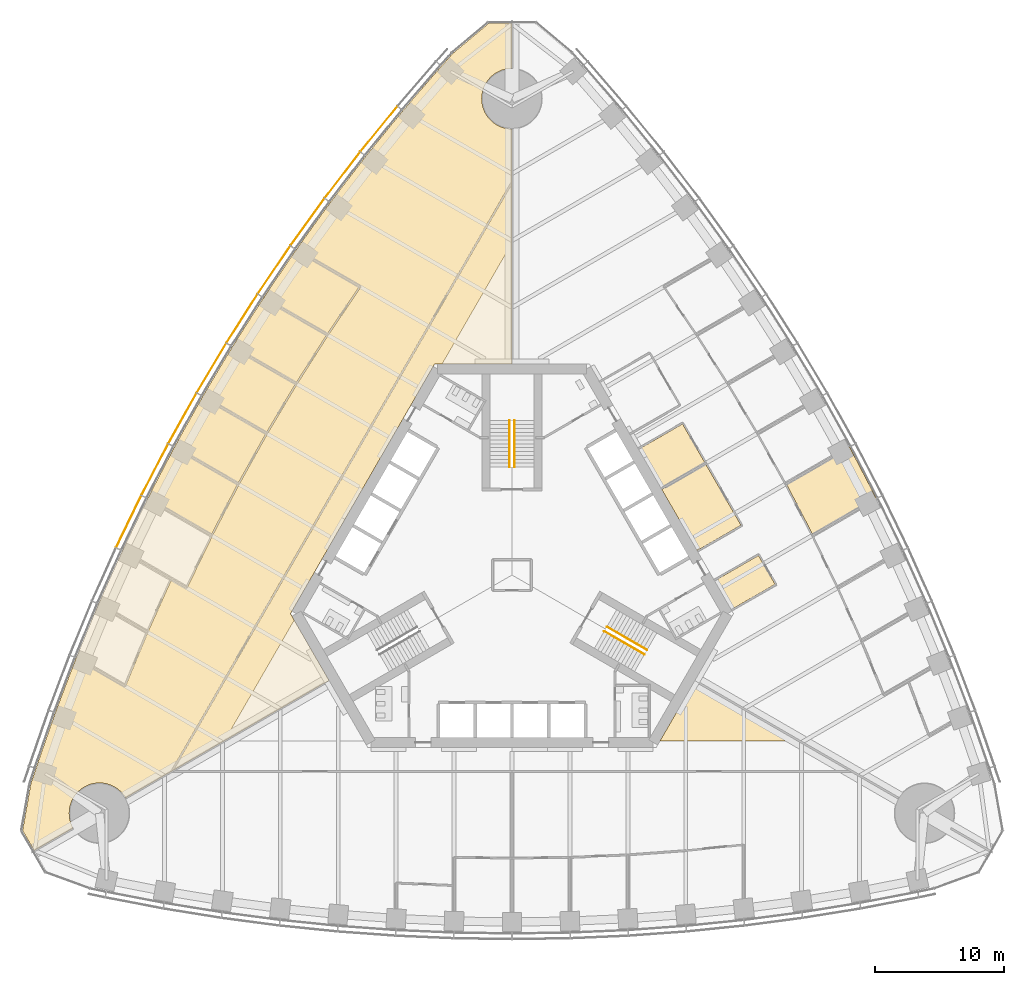
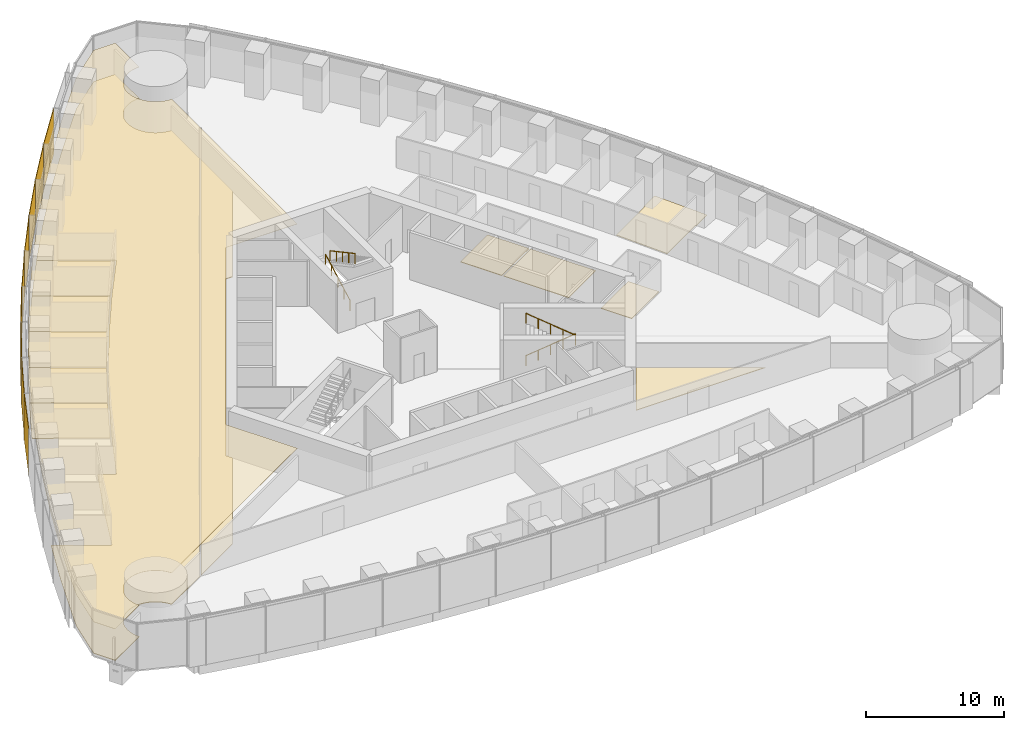
# One storey, part 15 of 18: 13 coverings, 9 shading devices, 4 railings.
"""IFC4 building model written with IfcOpenShell, lengths in metres."""

from ifc_helpers import new_model, si_unit, direction, frame, origin, origin_2d, place, context, subcontext, project, spatial, polyline, rectangle, circle, outline, extrude, material, layer, layer_set, type_object, element, save


model = new_model("IFC4")

# Units and contexts
model_context = context("Model", 3, precision=1e-05, world=origin(), true_north=direction((0.0, 1.0)))
body_context = subcontext(model_context, "Body", "Model", "MODEL_VIEW")
ifc_project = project(units=[si_unit("LENGTHUNIT", "METRE"), si_unit("AREAUNIT", "SQUARE_METRE"), si_unit("VOLUMEUNIT", "CUBIC_METRE"), si_unit("PLANEANGLEUNIT", "RADIAN"), si_unit("MASSUNIT", "GRAM", prefix="KILO")], contexts=[model_context])

# Site, building, storey
site_placement = place(None, origin())
site = spatial("IfcSite", under=ifc_project, at=site_placement, CompositionType="ELEMENT")
building_placement = place(site_placement, origin())
building = spatial("IfcBuilding", under=site, at=building_placement, Name="Trefoil Bronze Tower", CompositionType="ELEMENT")
storey_placement = place(building_placement, frame((0.0, 0.0, 58.5)))
storey = spatial("IfcBuildingStorey", under=building, at=storey_placement, Name="L13", CompositionType="ELEMENT", Elevation=58.5)

# Shading devices
ifc_material_1 = material(Name="Perforated bronze sheet", Category="bronze")
ifc_layer_1 = layer(ifc_material_1, 0.0400390625)
ifc_layer_set_1 = layer_set([ifc_layer_1], Name="Bronze solar screen panel")
shading_device_type = type_object("IfcShadingDeviceType", Name="Bronze solar screen panel", PredefinedType="SHUTTER", material=ifc_layer_set_1)
shading_device_1_placement = place(storey_placement, frame((-10.338623046875, 34.6474609375, 0.050048828125), z_axis=(0.0, 0.0, 1.0), x_axis=(-0.631810729457, -0.775122701346, 0.0)))
element("IfcShadingDevice", 1, at=shading_device_1_placement, inside=storey, type_object=shading_device_type, Name="Solar screen CW-A L13 F3 bay 3", PredefinedType="SHUTTER", context=body_context, shape_type="SweptSolid", body=[
    extrude(rectangle(XDim=4.5283203125, YDim=0.0400390625, at=origin_2d()), origin(), (0.0, 0.0, 1.0), 4.10009765625),
])
shading_device_2_placement = place(storey_placement, frame((-13.170166015625, 31.06787109375, 0.050048828125), z_axis=(0.0, 0.0, 1.0), x_axis=(-0.608807670879, -0.793317855515, 0.0)))
element("IfcShadingDevice", 2, at=shading_device_2_placement, inside=storey, type_object=shading_device_type, Name="Solar screen CW-A L13 F3 bay 4", PredefinedType="SHUTTER", context=body_context, shape_type="SweptSolid", body=[
    extrude(rectangle(XDim=4.5087890625, YDim=0.0400390625, at=origin_2d()), origin(), (0.0, 0.0, 1.0), 4.10009765625),
])
shading_device_3_placement = place(storey_placement, frame((-15.88525390625, 27.421142578125, 0.050048828125), z_axis=(0.0, 0.0, 1.0), x_axis=(-0.585372522213, -0.810764460394, 0.0)))
element("IfcShadingDevice", 3, at=shading_device_3_placement, inside=storey, type_object=shading_device_type, Name="Solar screen CW-A L13 F3 bay 5", PredefinedType="SHUTTER", context=body_context, shape_type="SweptSolid", body=[
    extrude(rectangle(XDim=4.493408203125, YDim=0.0400390625, at=origin_2d()), origin(), (0.0, 0.0, 1.0), 4.10009765625),
])
shading_device_4_placement = place(storey_placement, frame((-18.48486328125, 23.707763671875, 0.050048828125), z_axis=(0.0, 0.0, 1.0), x_axis=(-0.56150968077, -0.827470167681, 0.0)))
element("IfcShadingDevice", 4, at=shading_device_4_placement, inside=storey, type_object=shading_device_type, Name="Solar screen CW-A L13 F3 bay 6", PredefinedType="SHUTTER", context=body_context, shape_type="SweptSolid", body=[
    extrude(rectangle(XDim=4.48193359375, YDim=0.0400390625, at=origin_2d()), origin(), (0.0, 0.0, 1.0), 4.10009765625),
])
shading_device_5_placement = place(storey_placement, frame((-20.97021484375, 19.928466796875, 0.050048828125), z_axis=(0.0, 0.0, 1.0), x_axis=(-0.537222392469, -0.843440632783, 0.0)))
element("IfcShadingDevice", 5, at=shading_device_5_placement, inside=storey, type_object=shading_device_type, Name="Solar screen CW-A L13 F3 bay 7", PredefinedType="SHUTTER", context=body_context, shape_type="SweptSolid", body=[
    extrude(rectangle(XDim=4.474365234375, YDim=0.0400390625, at=origin_2d()), origin(), (0.0, 0.0, 1.0), 4.10009765625),
])
for number, where, z_axis, x_axis, name in (
    (6, (-23.341552734375, 16.083251953125, 0.050048828125), (0.0, 0.0, 1.0), (-0.51251279404, -0.858679588639, 0.0), "Solar screen CW-A L13 F3 bay 8"),
    (7, (-25.599365234375, 12.172607421875, 0.050048828125), (0.0, 0.0, 1.0), (-0.487381940453, -0.873188893722, 0.0), "Solar screen CW-A L13 F3 bay 9"),
):
    element("IfcShadingDevice", number, at=place(storey_placement, frame(where, z_axis=z_axis, x_axis=x_axis)), inside=storey, type_object=shading_device_type, Name=name, PredefinedType="SHUTTER", context=body_context, shape_type="SweptSolid", body=[
        extrude(rectangle(XDim=4.470458984375, YDim=0.0400390625, at=origin_2d()), origin(), (0.0, 0.0, 1.0), 4.10009765625),
    ])
shading_device_6_placement = place(storey_placement, frame((-27.74365234375, 8.1962890625, 0.050048828125), z_axis=(0.0, 0.0, 1.0), x_axis=(-0.46182981834, -0.886968555752, 0.0)))
element("IfcShadingDevice", 8, at=shading_device_6_placement, inside=storey, type_object=shading_device_type, Name="Solar screen CW-A L13 F3 bay 10", PredefinedType="SHUTTER", context=body_context, shape_type="SweptSolid", body=[
    extrude(rectangle(XDim=4.474365234375, YDim=0.0400390625, at=origin_2d()), origin(), (0.0, 0.0, 1.0), 4.10009765625),
])
shading_device_7_placement = place(storey_placement, frame((-29.77392578125, 4.154541015625, 0.050048828125), z_axis=(0.0, 0.0, 1.0), x_axis=(-0.4358553457, -0.900016731858, 0.0)))
element("IfcShadingDevice", 9, at=shading_device_7_placement, inside=storey, type_object=shading_device_type, Name="Solar screen CW-A L13 F3 bay 11", PredefinedType="SHUTTER", context=body_context, shape_type="SweptSolid", body=[
    extrude(rectangle(XDim=4.48193359375, YDim=0.0400390625, at=origin_2d()), origin(), (0.0, 0.0, 1.0), 4.10009765625),
])

# Railings
ifc_material_2 = material(Name="Steel handrail", Category="steel")
railing_type = type_object("IfcRailingType", Name="Handrail 900", PredefinedType="HANDRAIL", material=ifc_material_2)
railing_1_placement = place(storey_placement, frame((7.365966796875, -4.021728515625, 0.16162109375)))
element("IfcRailing", 10, at=railing_1_placement, inside=storey, type_object=railing_type, Name="Handrail ST1 flight 1 L13", PredefinedType="HANDRAIL", context=body_context, shape_type="SweptSolid", body=[
    extrude(circle(Radius=0.02392578125, at=origin_2d()), frame((0.0, 0.0, 0.8759765625), z_axis=(0.76250339821, -0.440245697338, 0.474101564745), x_axis=(0.500012057535, 0.866018442252, 0.0)), (0.0, 0.0, 1.0), 4.088623046875),
    extrude(circle(Radius=0.02099609375, at=origin_2d()), origin(), (0.0, 0.0, 1.0), 0.851806640625),
    extrude(circle(Radius=0.02099609375, at=origin_2d()), frame((0.779296875, -0.449951171875, 0.484619140625)), (0.0, 0.0, 1.0), 0.851806640625),
    extrude(circle(Radius=0.02099609375, at=origin_2d()), frame((1.558837890625, -0.89990234375, 0.96923828125)), (0.0, 0.0, 1.0), 0.851806640625),
    extrude(circle(Radius=0.02099609375, at=origin_2d()), frame((2.33837890625, -1.35009765625, 1.453857421875)), (0.0, 0.0, 1.0), 0.851806640625),
    extrude(circle(Radius=0.02099609375, at=origin_2d()), frame((3.11767578125, -1.800048828125, 1.9384765625)), (0.0, 0.0, 1.0), 0.851806640625),
])
railing_2_placement = place(storey_placement, frame((10.28369140625, -6.168212890625, 2.261474609375)))
element("IfcRailing", 11, at=railing_2_placement, inside=storey, type_object=railing_type, Name="Handrail ST1 flight 2 L13", PredefinedType="HANDRAIL", context=body_context, shape_type="SweptSolid", body=[
    extrude(circle(Radius=0.02392578125, at=origin_2d()), frame((0.0, 0.0, 0.8759765625), z_axis=(-0.76250339821, 0.440245697338, 0.474101564745), x_axis=(-0.500012057535, -0.866018442252, 0.0)), (0.0, 0.0, 1.0), 4.088623046875),
    extrude(circle(Radius=0.02099609375, at=origin_2d()), origin(), (0.0, 0.0, 1.0), 0.851806640625),
    extrude(circle(Radius=0.02099609375, at=origin_2d()), frame((-0.779296875, 0.449951171875, 0.484619140625)), (0.0, 0.0, 1.0), 0.851806640625),
    extrude(circle(Radius=0.02099609375, at=origin_2d()), frame((-1.558837890625, 0.89990234375, 0.96923828125)), (0.0, 0.0, 1.0), 0.851806640625),
    extrude(circle(Radius=0.02099609375, at=origin_2d()), frame((-2.33837890625, 1.35009765625, 1.453857421875)), (0.0, 0.0, 1.0), 0.851806640625),
    extrude(circle(Radius=0.02099609375, at=origin_2d()), frame((-3.11767578125, 1.800048828125, 1.9384765625)), (0.0, 0.0, 1.0), 0.851806640625),
])
railing_3_placement = place(storey_placement, frame((-0.199951171875, 8.389892578125, 0.16162109375)))
element("IfcRailing", 12, at=railing_3_placement, inside=storey, type_object=railing_type, Name="Handrail ST2 flight 1 L13", PredefinedType="HANDRAIL", context=body_context, shape_type="SweptSolid", body=[
    extrude(circle(Radius=0.02392578125, at=origin_2d()), frame((0.0, 0.0, 0.8759765625), z_axis=(0.0, 0.880474934443, 0.474092701714), x_axis=(-1.0, 0.0, 0.0)), (0.0, 0.0, 1.0), 4.0888671875),
    extrude(circle(Radius=0.02099609375, at=origin_2d()), origin(), (0.0, 0.0, 1.0), 0.851806640625),
    extrude(circle(Radius=0.02099609375, at=origin_2d()), frame((0.0, 0.89990234375, 0.484619140625)), (0.0, 0.0, 1.0), 0.851806640625),
    extrude(circle(Radius=0.02099609375, at=origin_2d()), frame((0.0, 1.800048828125, 0.96923828125)), (0.0, 0.0, 1.0), 0.851806640625),
    extrude(circle(Radius=0.02099609375, at=origin_2d()), frame((0.0, 2.7001953125, 1.453857421875)), (0.0, 0.0, 1.0), 0.851806640625),
    extrude(circle(Radius=0.02099609375, at=origin_2d()), frame((0.0, 3.60009765625, 1.9384765625)), (0.0, 0.0, 1.0), 0.851806640625),
])
railing_4_placement = place(storey_placement, frame((0.199951171875, 11.989990234375, 2.261474609375)))
element("IfcRailing", 13, at=railing_4_placement, inside=storey, type_object=railing_type, Name="Handrail ST2 flight 2 L13", PredefinedType="HANDRAIL", context=body_context, shape_type="SweptSolid", body=[
    extrude(circle(Radius=0.02392578125, at=origin_2d()), frame((0.0, 0.0, 0.8759765625), z_axis=(0.0, -0.880474934443, 0.474092701714), x_axis=(1.0, 0.0, 0.0)), (0.0, 0.0, 1.0), 4.0888671875),
    extrude(circle(Radius=0.02099609375, at=origin_2d()), origin(), (0.0, 0.0, 1.0), 0.851806640625),
    extrude(circle(Radius=0.02099609375, at=origin_2d()), frame((0.0, -0.89990234375, 0.484619140625)), (0.0, 0.0, 1.0), 0.851806640625),
    extrude(circle(Radius=0.02099609375, at=origin_2d()), frame((0.0, -1.800048828125, 0.96923828125)), (0.0, 0.0, 1.0), 0.851806640625),
    extrude(circle(Radius=0.02099609375, at=origin_2d()), frame((0.0, -2.7001953125, 1.453857421875)), (0.0, 0.0, 1.0), 0.851806640625),
    extrude(circle(Radius=0.02099609375, at=origin_2d()), frame((0.0, -3.60009765625, 1.9384765625)), (0.0, 0.0, 1.0), 0.851806640625),
])

# Coverings
ifc_material_3 = material(Name="Acoustic ceiling panels", Category="mineral fibre")
ifc_layer_2 = layer(ifc_material_3, 0.02001953125)
ifc_layer_set_2 = layer_set([ifc_layer_2], Name="Office ceiling 20")
covering_type_1 = type_object("IfcCoveringType", Name="Office ceiling 20", PredefinedType="CEILING", material=ifc_layer_set_2)
covering_1_placement = place(storey_placement, frame((0.0, 0.0, 2.89990234375)))
element("IfcCovering", 14, at=covering_1_placement, inside=storey, type_object=covering_type_1, Name="Ceiling L13 Open-plan office F3", PredefinedType="CEILING", context=body_context, shape_type="SweptSolid", body=[
    extrude(outline(polyline([(-36.9814453125, -15.021728515625), (-35.47998046875, -10.6923828125), (-33.860107421875, -6.431640625), (-32.123291015625, -2.23828125), (-30.271240234375, 1.888671875), (-28.3046875, 5.949462890625), (-26.224609375, 9.944580078125), (-24.031005859375, 13.87451171875), (-21.724609375, 17.73876953125), (-19.3046875, 21.537841796875), (-16.771240234375, 25.271484375), (-14.123291015625, 28.938720703125), (-11.360107421875, 32.53955078125), (-8.47998046875, 36.072998046875), (-5.4814453125, 39.537841796875), (-4.618896484375, 40.497314453125), (-1.82421875, 42.84228515625), (-0.01611328125, 42.84228515625), (-0.014892578125, 39.349609375), (-0.115234375, 39.34716796875), (-0.230224609375, 39.338623046875), (-0.3447265625, 39.32470703125), (-0.45849609375, 39.3046875), (-0.571044921875, 39.279541015625), (-0.68212890625, 39.248779296875), (-0.791748046875, 39.212646484375), (-0.8994140625, 39.171142578125), (-1.0048828125, 39.12451171875), (-1.10791015625, 39.072509765625), (-1.2080078125, 39.015625), (-1.3056640625, 38.9541015625), (-1.39990234375, 38.887451171875), (-1.49072265625, 38.816650390625), (-1.578125, 38.7412109375), (-1.66162109375, 38.66162109375), (-1.7412109375, 38.578125), (-1.816650390625, 38.49072265625), (-1.887451171875, 38.39990234375), (-1.9541015625, 38.3056640625), (-2.015625, 38.2080078125), (-2.072509765625, 38.10791015625), (-2.12451171875, 38.0048828125), (-2.171142578125, 37.8994140625), (-2.212646484375, 37.791748046875), (-2.248779296875, 37.68212890625), (-2.279541015625, 37.571044921875), (-2.3046875, 37.45849609375), (-2.32470703125, 37.3447265625), (-2.338623046875, 37.230224609375), (-2.34716796875, 37.115234375), (-2.35009765625, 37.0), (-2.34716796875, 36.884765625), (-2.338623046875, 36.769775390625), (-2.32470703125, 36.6552734375), (-2.3046875, 36.54150390625), (-2.279541015625, 36.428955078125), (-2.248779296875, 36.31787109375), (-2.212646484375, 36.208251953125), (-2.171142578125, 36.1005859375), (-2.12451171875, 35.9951171875), (-2.072509765625, 35.89208984375), (-2.015625, 35.7919921875), (-1.9541015625, 35.6943359375), (-1.887451171875, 35.60009765625), (-1.816650390625, 35.50927734375), (-1.7412109375, 35.421875), (-1.66162109375, 35.33837890625), (-1.578125, 35.2587890625), (-1.49072265625, 35.183349609375), (-1.39990234375, 35.112548828125), (-1.3056640625, 35.0458984375), (-1.2080078125, 34.984375), (-1.10791015625, 34.927490234375), (-1.0048828125, 34.87548828125), (-0.8994140625, 34.828857421875), (-0.791748046875, 34.787353515625), (-0.68212890625, 34.751220703125), (-0.571044921875, 34.720458984375), (-0.45849609375, 34.6953125), (-0.3447265625, 34.67529296875), (-0.230224609375, 34.661376953125), (-0.115234375, 34.65283203125), (-0.012939453125, 34.650390625), (-0.006103515625, 16.39990234375), (-6.00439453125, 16.39990234375), (-17.205078125, -3.0), (-14.205810546875, -8.194580078125), (-30.0146484375, -17.31396484375), (-30.02734375, -17.2919921875), (-30.089111328125, -17.1943359375), (-30.155517578125, -17.10009765625), (-30.226318359375, -17.00927734375), (-30.3017578125, -16.921875), (-30.381103515625, -16.83837890625), (-30.46484375, -16.7587890625), (-30.552001953125, -16.683349609375), (-30.64306640625, -16.612548828125), (-30.7373046875, -16.5458984375), (-30.834716796875, -16.484375), (-30.935302734375, -16.427490234375), (-31.0380859375, -16.37548828125), (-31.1435546875, -16.328857421875), (-31.251220703125, -16.287353515625), (-31.36083984375, -16.251220703125), (-31.471923828125, -16.220458984375), (-31.58447265625, -16.1953125), (-31.697998046875, -16.17529296875), (-31.8125, -16.161376953125), (-31.927490234375, -16.15283203125), (-32.04296875, -16.14990234375), (-32.158203125, -16.15283203125), (-32.273193359375, -16.161376953125), (-32.3876953125, -16.17529296875), (-32.50146484375, -16.1953125), (-32.614013671875, -16.220458984375), (-32.72509765625, -16.251220703125), (-32.834716796875, -16.287353515625), (-32.942138671875, -16.328857421875), (-33.047607421875, -16.37548828125), (-33.150634765625, -16.427490234375), (-33.251220703125, -16.484375), (-33.348388671875, -16.5458984375), (-33.44287109375, -16.612548828125), (-33.53369140625, -16.683349609375), (-33.62109375, -16.7587890625), (-33.70458984375, -16.83837890625), (-33.7841796875, -16.921875), (-33.859619140625, -17.00927734375), (-33.930419921875, -17.10009765625), (-33.996826171875, -17.1943359375), (-34.05859375, -17.2919921875), (-34.115478515625, -17.39208984375), (-34.167236328125, -17.4951171875), (-34.214111328125, -17.6005859375), (-34.255615234375, -17.708251953125), (-34.291748046875, -17.81787109375), (-34.322509765625, -17.928955078125), (-34.347900390625, -18.04150390625), (-34.367431640625, -18.1552734375), (-34.381591796875, -18.269775390625), (-34.39013671875, -18.384765625), (-34.392822265625, -18.5), (-34.39013671875, -18.615234375), (-34.381591796875, -18.730224609375), (-34.367431640625, -18.8447265625), (-34.347900390625, -18.95849609375), (-34.322509765625, -19.071044921875), (-34.291748046875, -19.18212890625), (-34.255615234375, -19.291748046875), (-34.214111328125, -19.3994140625), (-34.167236328125, -19.5048828125), (-34.115478515625, -19.60791015625), (-34.084716796875, -19.661865234375), (-37.110595703125, -21.4072265625), (-38.0146484375, -19.841552734375), (-37.381103515625, -16.248779296875), (-36.9814453125, -15.021728515625)])), origin(), (0.0, 0.0, 1.0), 0.02001953125),
])
ifc_material_4 = material(Name="Raised access floor panels", Category="steel")
ifc_layer_3 = layer(ifc_material_4, 0.050048828125)
ifc_layer_set_3 = layer_set([ifc_layer_3], Name="Raised access floor 150")
covering_type_2 = type_object("IfcCoveringType", Name="Raised access floor 150", PredefinedType="FLOORING", material=ifc_layer_set_3)
covering_2_placement = place(storey_placement, frame((0.0, 0.0, 0.10009765625)))
element("IfcCovering", 15, at=covering_2_placement, inside=storey, type_object=covering_type_2, Name="Raised floor L13 Open-plan office F1", PredefinedType="FLOORING", context=body_context, shape_type="SweptSolid", body=[
    extrude(outline(polyline([(14.19970703125, -8.205322265625), (22.32421875, -12.89990234375), (11.4892578125, -12.89990234375), (14.19970703125, -8.205322265625)])), origin(), (0.0, 0.0, 1.0), 0.0498046875),
])
covering_3_placement = place(storey_placement, frame((0.0, 0.0, 0.10009765625)))
element("IfcCovering", 16, at=covering_3_placement, inside=storey, type_object=covering_type_2, Name="Raised floor L13 Meeting room F2", PredefinedType="FLOORING", context=body_context, shape_type="SweptSolid", body=[
    extrude(outline(polyline([(11.634765625, 6.64794921875), (15.046875, 8.617919921875), (17.786865234375, 3.872314453125), (14.374755859375, 1.902099609375), (11.634765625, 6.64794921875)])), origin(), (0.0, 0.0, 1.0), 0.0498046875),
])
covering_4_placement = place(storey_placement, frame((0.0, 0.0, 0.10009765625)))
element("IfcCovering", 17, at=covering_4_placement, inside=storey, type_object=covering_type_2, Name="Raised floor L13 Meeting room F2", PredefinedType="FLOORING", context=body_context, shape_type="SweptSolid", body=[
    extrude(outline(polyline([(9.834716796875, 9.765625), (13.246826171875, 11.735595703125), (14.98681640625, 8.721923828125), (11.57470703125, 6.751953125), (9.834716796875, 9.765625)])), origin(), (0.0, 0.0, 1.0), 0.0498046875),
])
covering_5_placement = place(storey_placement, frame((0.0, 0.0, 0.10009765625)))
element("IfcCovering", 18, at=covering_5_placement, inside=storey, type_object=covering_type_2, Name="Raised floor L13 Pantry F2", PredefinedType="FLOORING", context=body_context, shape_type="SweptSolid", body=[
    extrude(outline(polyline([(15.734619140625, -0.453369140625), (19.14697265625, 1.5166015625), (20.43701171875, -0.7177734375), (17.024658203125, -2.687744140625), (15.734619140625, -0.453369140625)])), origin(), (0.0, 0.0, 1.0), 0.0498046875),
])
covering_6_placement = place(storey_placement, frame((0.0, 0.0, 0.10009765625)))
element("IfcCovering", 19, at=covering_6_placement, inside=storey, type_object=covering_type_2, Name="Raised floor L13 Office F2", PredefinedType="FLOORING", context=body_context, shape_type="SweptSolid", body=[
    extrude(outline(polyline([(26.224609375, 9.944580078125), (28.3046875, 5.949462890625), (26.93408203125, 5.158203125), (26.904052734375, 5.210205078125), (23.349365234375, 3.15771484375), (21.32470703125, 7.04638671875), (24.885498046875, 9.102294921875), (24.855712890625, 9.154296875), (26.224609375, 9.944580078125)])), origin(), (0.0, 0.0, 1.0), 0.0498046875),
])
covering_7_placement = place(storey_placement, frame((0.0, 0.0, 0.10009765625)))
element("IfcCovering", 20, at=covering_7_placement, inside=storey, type_object=covering_type_2, Name="Raised floor L13 Office F3", PredefinedType="FLOORING", context=body_context, shape_type="SweptSolid", body=[
    extrude(outline(polyline([(-19.3046875, 21.537841796875), (-16.771240234375, 25.271484375), (-15.397705078125, 24.478515625), (-15.427734375, 24.426513671875), (-11.87744140625, 22.376708984375), (-14.343505859375, 18.742919921875), (-17.904052734375, 20.798583984375), (-17.93408203125, 20.74658203125), (-19.3046875, 21.537841796875)])), origin(), (0.0, 0.0, 1.0), 0.0498046875),
])
covering_8_placement = place(storey_placement, frame((0.0, 0.0, 0.10009765625)))
element("IfcCovering", 21, at=covering_8_placement, inside=storey, type_object=covering_type_2, Name="Raised floor L13 Office F3", PredefinedType="FLOORING", context=body_context, shape_type="SweptSolid", body=[
    extrude(outline(polyline([(-19.3046875, 21.537841796875), (-17.93408203125, 20.74658203125), (-17.964111328125, 20.694580078125), (-14.409423828125, 18.642333984375), (-16.7646484375, 14.944580078125), (-20.32568359375, 17.00048828125), (-20.355712890625, 16.948486328125), (-21.724609375, 17.73876953125), (-19.3046875, 21.537841796875)])), origin(), (0.0, 0.0, 1.0), 0.0498046875),
])
covering_9_placement = place(storey_placement, frame((0.0, 0.0, 0.10009765625)))
element("IfcCovering", 22, at=covering_9_placement, inside=storey, type_object=covering_type_2, Name="Raised floor L13 Office F3", PredefinedType="FLOORING", context=body_context, shape_type="SweptSolid", body=[
    extrude(outline(polyline([(-24.031005859375, 13.87451171875), (-21.724609375, 17.73876953125), (-20.355712890625, 16.948486328125), (-20.385498046875, 16.896484375), (-16.82763671875, 14.84228515625), (-19.07275390625, 11.080810546875), (-22.6328125, 13.13623046875), (-22.662841796875, 13.08447265625), (-24.031005859375, 13.87451171875)])), origin(), (0.0, 0.0, 1.0), 0.0498046875),
])
covering_10_placement = place(storey_placement, frame((0.0, 0.0, 0.10009765625)))
element("IfcCovering", 23, at=covering_10_placement, inside=storey, type_object=covering_type_2, Name="Raised floor L13 Office F3", PredefinedType="FLOORING", context=body_context, shape_type="SweptSolid", body=[
    extrude(outline(polyline([(-26.224609375, 9.944580078125), (-24.031005859375, 13.87451171875), (-22.662841796875, 13.08447265625), (-22.69287109375, 13.032470703125), (-19.1328125, 10.97705078125), (-21.267578125, 7.152099609375), (-24.82568359375, 9.206298828125), (-24.855712890625, 9.154296875), (-26.224609375, 9.944580078125)])), origin(), (0.0, 0.0, 1.0), 0.0498046875),
])
covering_11_placement = place(storey_placement, frame((0.0, 0.0, 0.10009765625)))
element("IfcCovering", 24, at=covering_11_placement, inside=storey, type_object=covering_type_2, Name="Raised floor L13 Meeting room F3", PredefinedType="FLOORING", context=body_context, shape_type="SweptSolid", body=[
    extrude(outline(polyline([(-28.3046875, 5.949462890625), (-26.224609375, 9.944580078125), (-24.855712890625, 9.154296875), (-24.885498046875, 9.102294921875), (-21.32470703125, 7.04638671875), (-23.349365234375, 3.15771484375), (-26.904052734375, 5.210205078125), (-26.93408203125, 5.158203125), (-28.3046875, 5.949462890625)])), origin(), (0.0, 0.0, 1.0), 0.0498046875),
])
covering_12_placement = place(storey_placement, frame((0.0, 0.0, 0.10009765625)))
element("IfcCovering", 25, at=covering_12_placement, inside=storey, type_object=covering_type_2, Name="Raised floor L13 Corridor F3", PredefinedType="FLOORING", context=body_context, shape_type="SweptSolid", body=[
    extrude(outline(polyline([(-0.011474609375, 30.38037109375), (-0.009765625, 25.783203125), (-5.427001953125, 16.39990234375), (-6.00439453125, 16.39990234375), (-17.205078125, -3.0), (-16.91650390625, -3.5), (-22.333740234375, -12.88330078125), (-26.31591796875, -15.180419921875), (-0.011474609375, 30.38037109375)])), origin(), (0.0, 0.0, 1.0), 0.0498046875),
])
covering_13_placement = place(storey_placement, frame((0.0, 0.0, 0.10009765625)))
element("IfcCovering", 26, at=covering_13_placement, inside=storey, type_object=covering_type_2, Name="Raised floor L13 Open-plan office F3", PredefinedType="FLOORING", context=body_context, shape_type="SweptSolid", body=[
    extrude(outline(polyline([(-35.47998046875, -10.6923828125), (-33.860107421875, -6.431640625), (-32.477294921875, -7.22998046875), (-32.507080078125, -7.281982421875), (-30.105712890625, -8.668701171875), (-30.07568359375, -8.61669921875), (-30.02001953125, -8.6396484375), (-28.28369140625, -4.447021484375), (-26.459228515625, -0.381591796875), (-25.321533203125, -1.038330078125), (-25.29150390625, -0.986328125), (-25.237548828125, -1.012451171875), (-23.271484375, 3.047607421875), (-21.192138671875, 7.041015625), (-18.99951171875, 10.969482421875), (-16.69384765625, 14.832275390625), (-14.27490234375, 18.6298828125), (-11.741943359375, 22.36279296875), (-11.79150390625, 22.396484375), (-11.76171875, 22.4482421875), (-15.367919921875, 24.5302734375), (-15.397705078125, 24.478515625), (-16.771240234375, 25.271484375), (-14.123291015625, 28.938720703125), (-11.360107421875, 32.53955078125), (-8.47998046875, 36.072998046875), (-5.4814453125, 39.537841796875), (-4.618896484375, 40.497314453125), (-1.82421875, 42.84228515625), (-0.01611328125, 42.84228515625), (-0.014892578125, 39.349609375), (-0.115234375, 39.34716796875), (-0.230224609375, 39.338623046875), (-0.3447265625, 39.32470703125), (-0.45849609375, 39.3046875), (-0.571044921875, 39.279541015625), (-0.68212890625, 39.248779296875), (-0.791748046875, 39.212646484375), (-0.8994140625, 39.171142578125), (-1.0048828125, 39.12451171875), (-1.10791015625, 39.072509765625), (-1.2080078125, 39.015625), (-1.3056640625, 38.9541015625), (-1.39990234375, 38.887451171875), (-1.49072265625, 38.816650390625), (-1.578125, 38.7412109375), (-1.66162109375, 38.66162109375), (-1.7412109375, 38.578125), (-1.816650390625, 38.49072265625), (-1.887451171875, 38.39990234375), (-1.9541015625, 38.3056640625), (-2.015625, 38.2080078125), (-2.072509765625, 38.10791015625), (-2.12451171875, 38.0048828125), (-2.171142578125, 37.8994140625), (-2.212646484375, 37.791748046875), (-2.248779296875, 37.68212890625), (-2.279541015625, 37.571044921875), (-2.3046875, 37.45849609375), (-2.32470703125, 37.3447265625), (-2.338623046875, 37.230224609375), (-2.34716796875, 37.115234375), (-2.35009765625, 37.0), (-2.34716796875, 36.884765625), (-2.338623046875, 36.769775390625), (-2.32470703125, 36.6552734375), (-2.3046875, 36.54150390625), (-2.279541015625, 36.428955078125), (-2.248779296875, 36.31787109375), (-2.212646484375, 36.208251953125), (-2.171142578125, 36.1005859375), (-2.12451171875, 35.9951171875), (-2.072509765625, 35.89208984375), (-2.015625, 35.7919921875), (-1.9541015625, 35.6943359375), (-1.887451171875, 35.60009765625), (-1.816650390625, 35.50927734375), (-1.7412109375, 35.421875), (-1.66162109375, 35.33837890625), (-1.578125, 35.2587890625), (-1.49072265625, 35.183349609375), (-1.39990234375, 35.112548828125), (-1.3056640625, 35.0458984375), (-1.2080078125, 34.984375), (-1.10791015625, 34.927490234375), (-1.0048828125, 34.87548828125), (-0.8994140625, 34.828857421875), (-0.791748046875, 34.787353515625), (-0.68212890625, 34.751220703125), (-0.571044921875, 34.720458984375), (-0.45849609375, 34.6953125), (-0.3447265625, 34.67529296875), (-0.230224609375, 34.661376953125), (-0.115234375, 34.65283203125), (-0.012939453125, 34.650390625), (-0.011474609375, 30.488525390625), (-0.068359375, 30.521484375), (-26.466552734375, -15.201416015625), (-26.40966796875, -15.234375), (-30.0146484375, -17.31396484375), (-30.02734375, -17.2919921875), (-30.089111328125, -17.1943359375), (-30.155517578125, -17.10009765625), (-30.226318359375, -17.00927734375), (-30.3017578125, -16.921875), (-30.381103515625, -16.83837890625), (-30.46484375, -16.7587890625), (-30.552001953125, -16.683349609375), (-30.64306640625, -16.612548828125), (-30.7373046875, -16.5458984375), (-30.834716796875, -16.484375), (-30.935302734375, -16.427490234375), (-31.0380859375, -16.37548828125), (-31.1435546875, -16.328857421875), (-31.251220703125, -16.287353515625), (-31.36083984375, -16.251220703125), (-31.471923828125, -16.220458984375), (-31.58447265625, -16.1953125), (-31.697998046875, -16.17529296875), (-31.8125, -16.161376953125), (-31.927490234375, -16.15283203125), (-32.04296875, -16.14990234375), (-32.158203125, -16.15283203125), (-32.273193359375, -16.161376953125), (-32.3876953125, -16.17529296875), (-32.50146484375, -16.1953125), (-32.614013671875, -16.220458984375), (-32.72509765625, -16.251220703125), (-32.834716796875, -16.287353515625), (-32.942138671875, -16.328857421875), (-33.047607421875, -16.37548828125), (-33.150634765625, -16.427490234375), (-33.251220703125, -16.484375), (-33.348388671875, -16.5458984375), (-33.44287109375, -16.612548828125), (-33.53369140625, -16.683349609375), (-33.62109375, -16.7587890625), (-33.70458984375, -16.83837890625), (-33.7841796875, -16.921875), (-33.859619140625, -17.00927734375), (-33.930419921875, -17.10009765625), (-33.996826171875, -17.1943359375), (-34.05859375, -17.2919921875), (-34.115478515625, -17.39208984375), (-34.167236328125, -17.4951171875), (-34.214111328125, -17.6005859375), (-34.255615234375, -17.708251953125), (-34.291748046875, -17.81787109375), (-34.322509765625, -17.928955078125), (-34.347900390625, -18.04150390625), (-34.367431640625, -18.1552734375), (-34.381591796875, -18.269775390625), (-34.39013671875, -18.384765625), (-34.392822265625, -18.5), (-34.39013671875, -18.615234375), (-34.381591796875, -18.730224609375), (-34.367431640625, -18.8447265625), (-34.347900390625, -18.95849609375), (-34.322509765625, -19.071044921875), (-34.291748046875, -19.18212890625), (-34.255615234375, -19.291748046875), (-34.214111328125, -19.3994140625), (-34.167236328125, -19.5048828125), (-34.115478515625, -19.60791015625), (-34.084716796875, -19.661865234375), (-37.110595703125, -21.4072265625), (-38.0146484375, -19.841552734375), (-37.381103515625, -16.248779296875), (-36.9814453125, -15.021728515625), (-35.47998046875, -10.6923828125)])), origin(), (0.0, 0.0, 1.0), 0.0498046875),
])

save(model, "model.ifc")
